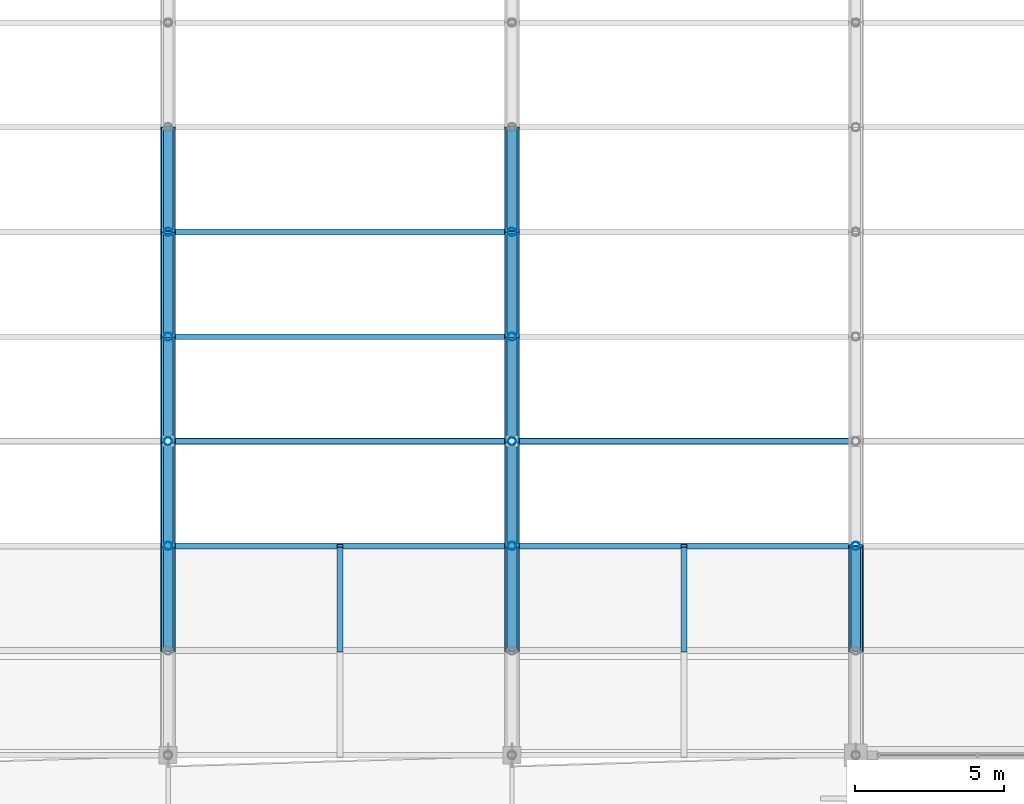
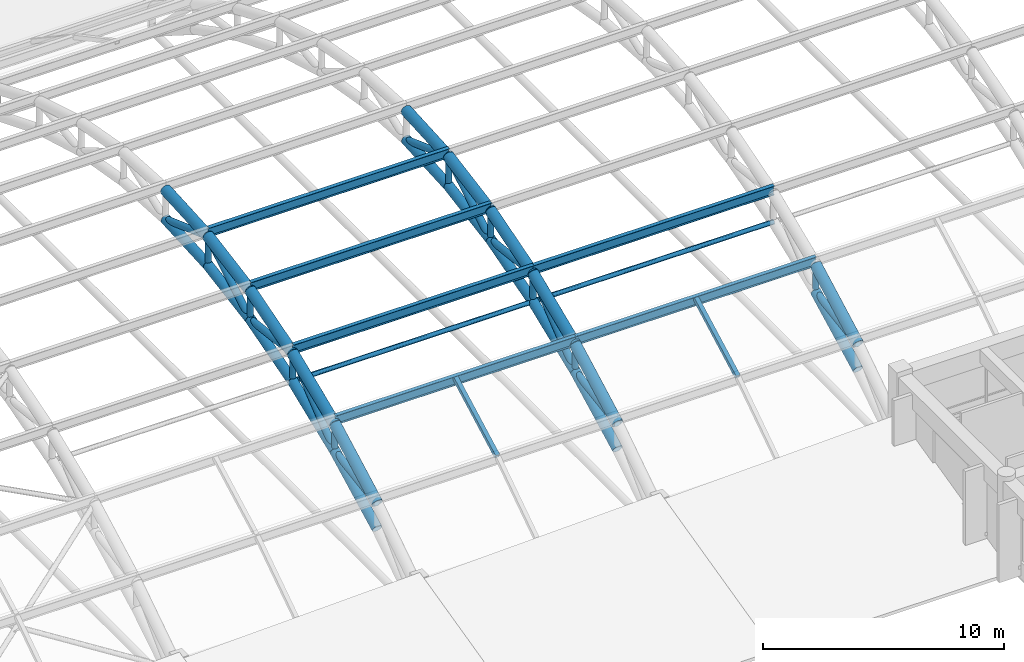
# One storey, part 19 of 154: 52 members.
"""IFC4 building model written with IfcOpenShell, lengths in metres."""

from ifc_helpers import new_model, si_unit, direction, frame, origin, origin_2d, place, context, subcontext, project, spatial, hollow_rectangle, hollow_circle, i_section, extrude, material, material_profile, profile_set, type_object, element, save


model = new_model("IFC4")

# Units and contexts
model_context = context("Model", 3, precision=1e-05, world=origin(), true_north=direction((0.0, 1.0)))
body_context = subcontext(model_context, "Body", "Model", "MODEL_VIEW")
ifc_project = project(units=[si_unit("LENGTHUNIT", "METRE"), si_unit("AREAUNIT", "SQUARE_METRE"), si_unit("VOLUMEUNIT", "CUBIC_METRE"), si_unit("PLANEANGLEUNIT", "RADIAN"), si_unit("MASSUNIT", "GRAM", prefix="KILO")], contexts=[model_context])

# Site, building, storey
site_placement = place(None, origin())
site = spatial("IfcSite", under=ifc_project, at=site_placement, CompositionType="ELEMENT")
building_placement = place(site_placement, origin())
building = spatial("IfcBuilding", under=site, at=building_placement, Name="Ologun Quay Terminus", CompositionType="ELEMENT")
storey_placement = place(building_placement, frame((0.0, 0.0, 13.800048828125)))
storey = spatial("IfcBuildingStorey", under=building, at=storey_placement, Name="L03", CompositionType="ELEMENT", Elevation=13.800048828125)

# Members
ifc_material_1 = material(Name="Steel S355", Category="steel")
ifc_material_profile_1 = material_profile(ifc_material_1, hollow_circle(Radius=0.136474609375, WallThickness=0.010009765625, at=origin_2d()), Name="CHS 273x10")
ifc_profile_set_1 = profile_set([ifc_material_profile_1], Name="Steel S355")
member_type_1 = type_object("IfcMemberType", Name="Arch Truss Vertical Post CHS273", PredefinedType="STRUT", material=ifc_profile_set_1)
member_1_placement = place(storey_placement, frame((34.5, 43.0, 4.022216796875), z_axis=(0.0, 0.0, 1.0), x_axis=(1.0, 0.0, 0.0)))
element("IfcMember", 1, at=member_1_placement, inside=storey, type_object=member_type_1, Name="AW2 Arch Web Post 4-N2", PredefinedType="STRUT", context=body_context, shape_type="SweptSolid", body=[
    extrude(hollow_circle(Radius=0.136474609375, WallThickness=0.010009765625, at=origin_2d()), origin(), (0.0, 0.0, 1.0), 1.35546875),
])
member_2_placement = place(storey_placement, frame((34.5, 46.5, 5.429931640625), z_axis=(0.0, 0.0, 1.0), x_axis=(1.0, 0.0, 0.0)))
element("IfcMember", 2, at=member_2_placement, inside=storey, type_object=member_type_1, Name="AW2 Arch Web Post 4-N3", PredefinedType="STRUT", context=body_context, shape_type="SweptSolid", body=[
    extrude(hollow_circle(Radius=0.136474609375, WallThickness=0.010009765625, at=origin_2d()), origin(), (0.0, 0.0, 1.0), 1.409912109375),
])
member_3_placement = place(storey_placement, frame((34.5, 50.0, 6.435546875), z_axis=(0.0, 0.0, 1.0), x_axis=(1.0, 0.0, 0.0)))
element("IfcMember", 3, at=member_3_placement, inside=storey, type_object=member_type_1, Name="AW2 Arch Web Post 4-N4", PredefinedType="STRUT", context=body_context, shape_type="SweptSolid", body=[
    extrude(hollow_circle(Radius=0.136474609375, WallThickness=0.010009765625, at=origin_2d()), origin(), (0.0, 0.0, 1.0), 1.44873046875),
])
member_4_placement = place(storey_placement, frame((34.5, 53.5, 7.038818359375), z_axis=(0.0, 0.0, 1.0), x_axis=(1.0, 0.0, 0.0)))
element("IfcMember", 4, at=member_4_placement, inside=storey, type_object=member_type_1, Name="AW2 Arch Web Post 4-N5", PredefinedType="STRUT", context=body_context, shape_type="SweptSolid", body=[
    extrude(hollow_circle(Radius=0.136474609375, WallThickness=0.010009765625, at=origin_2d()), origin(), (0.0, 0.0, 1.0), 1.47216796875),
])
member_5_placement = place(storey_placement, frame((46.0, 43.0, 4.022216796875), z_axis=(0.0, 0.0, 1.0), x_axis=(1.0, 0.0, 0.0)))
element("IfcMember", 5, at=member_5_placement, inside=storey, type_object=member_type_1, Name="AW2 Arch Web Post 5-N2", PredefinedType="STRUT", context=body_context, shape_type="SweptSolid", body=[
    extrude(hollow_circle(Radius=0.136474609375, WallThickness=0.010009765625, at=origin_2d()), origin(), (0.0, 0.0, 1.0), 1.35546875),
])
member_6_placement = place(storey_placement, frame((46.0, 46.5, 5.429931640625), z_axis=(0.0, 0.0, 1.0), x_axis=(1.0, 0.0, 0.0)))
element("IfcMember", 6, at=member_6_placement, inside=storey, type_object=member_type_1, Name="AW2 Arch Web Post 5-N3", PredefinedType="STRUT", context=body_context, shape_type="SweptSolid", body=[
    extrude(hollow_circle(Radius=0.136474609375, WallThickness=0.010009765625, at=origin_2d()), origin(), (0.0, 0.0, 1.0), 1.409912109375),
])
member_7_placement = place(storey_placement, frame((46.0, 50.0, 6.435546875), z_axis=(0.0, 0.0, 1.0), x_axis=(1.0, 0.0, 0.0)))
element("IfcMember", 7, at=member_7_placement, inside=storey, type_object=member_type_1, Name="AW2 Arch Web Post 5-N4", PredefinedType="STRUT", context=body_context, shape_type="SweptSolid", body=[
    extrude(hollow_circle(Radius=0.136474609375, WallThickness=0.010009765625, at=origin_2d()), origin(), (0.0, 0.0, 1.0), 1.44873046875),
])
member_8_placement = place(storey_placement, frame((46.0, 53.5, 7.038818359375), z_axis=(0.0, 0.0, 1.0), x_axis=(1.0, 0.0, 0.0)))
element("IfcMember", 8, at=member_8_placement, inside=storey, type_object=member_type_1, Name="AW2 Arch Web Post 5-N5", PredefinedType="STRUT", context=body_context, shape_type="SweptSolid", body=[
    extrude(hollow_circle(Radius=0.136474609375, WallThickness=0.010009765625, at=origin_2d()), origin(), (0.0, 0.0, 1.0), 1.47216796875),
])
member_9_placement = place(storey_placement, frame((57.5, 43.0, 4.022216796875), z_axis=(0.0, 0.0, 1.0), x_axis=(1.0, 0.0, 0.0)))
element("IfcMember", 9, at=member_9_placement, inside=storey, type_object=member_type_1, Name="AW2 Arch Web Post 6-N2", PredefinedType="STRUT", context=body_context, shape_type="SweptSolid", body=[
    extrude(hollow_circle(Radius=0.136474609375, WallThickness=0.010009765625, at=origin_2d()), origin(), (0.0, 0.0, 1.0), 1.35546875),
])
ifc_material_2 = material(Name="Steel S355", Category="steel")
ifc_material_profile_2 = material_profile(ifc_material_2, hollow_circle(Radius=0.161865234375, WallThickness=0.010009765625, at=origin_2d()), Name="CHS 323.9x10")
ifc_profile_set_2 = profile_set([ifc_material_profile_2], Name="Steel S355")
member_type_2 = type_object("IfcMemberType", Name="Arch Truss Web Diagonal CHS323", PredefinedType="BRACE", material=ifc_profile_set_2)
member_10_placement = place(storey_placement, frame((34.5, 39.5, 3.497802734375), z_axis=(0.0, 0.988960627525, 0.148178531524), x_axis=(-1.0, 0.0, 0.0)))
element("IfcMember", 10, at=member_10_placement, inside=storey, type_object=member_type_2, Name="AW1 Arch Web Diagonal 4-P2", PredefinedType="BRACE", context=body_context, shape_type="SweptSolid", body=[
    extrude(hollow_circle(Radius=0.161865234375, WallThickness=0.010009765625, at=origin_2d()), origin(), (0.0, 0.0, 1.0), 3.5390625),
])
member_11_placement = place(storey_placement, frame((34.5, 43.0, 4.022216796875), z_axis=(0.0, 0.77895148125, 0.627084196785), x_axis=(-1.0, 0.0, 0.0)))
element("IfcMember", 11, at=member_11_placement, inside=storey, type_object=member_type_2, Name="AW1 Arch Web Diagonal 4-P3", PredefinedType="BRACE", context=body_context, shape_type="SweptSolid", body=[
    extrude(hollow_circle(Radius=0.161865234375, WallThickness=0.010009765625, at=origin_2d()), origin(), (0.0, 0.0, 1.0), 4.4931640625),
])
member_12_placement = place(storey_placement, frame((34.5, 46.5, 6.83984375), z_axis=(0.0, 0.993394361, -0.114750353084), x_axis=(-1.0, 0.0, 0.0)))
element("IfcMember", 12, at=member_12_placement, inside=storey, type_object=member_type_2, Name="AW1 Arch Web Diagonal 4-P4", PredefinedType="BRACE", context=body_context, shape_type="SweptSolid", body=[
    extrude(hollow_circle(Radius=0.161865234375, WallThickness=0.010009765625, at=origin_2d()), origin(), (0.0, 0.0, 1.0), 3.523193359375),
])
member_13_placement = place(storey_placement, frame((34.5, 50.0, 6.435546875), z_axis=(0.0, 0.860144332958, 0.510050709715), x_axis=(-1.0, 0.0, 0.0)))
element("IfcMember", 13, at=member_13_placement, inside=storey, type_object=member_type_2, Name="AW1 Arch Web Diagonal 4-P5", PredefinedType="BRACE", context=body_context, shape_type="SweptSolid", body=[
    extrude(hollow_circle(Radius=0.161865234375, WallThickness=0.010009765625, at=origin_2d()), origin(), (0.0, 0.0, 1.0), 4.069091796875),
])
member_14_placement = place(storey_placement, frame((34.5, 53.5, 8.510986328125), z_axis=(0.0, 0.939942650142, -0.34133241048), x_axis=(-1.0, 0.0, 0.0)))
element("IfcMember", 14, at=member_14_placement, inside=storey, type_object=member_type_2, Name="AW1 Arch Web Diagonal 4-P6", PredefinedType="BRACE", context=body_context, shape_type="SweptSolid", body=[
    extrude(hollow_circle(Radius=0.161865234375, WallThickness=0.010009765625, at=origin_2d()), origin(), (0.0, 0.0, 1.0), 3.7236328125),
])
member_15_placement = place(storey_placement, frame((46.0, 39.5, 3.497802734375), z_axis=(0.0, 0.988960627525, 0.148178531524), x_axis=(-1.0, 0.0, 0.0)))
element("IfcMember", 15, at=member_15_placement, inside=storey, type_object=member_type_2, Name="AW1 Arch Web Diagonal 5-P2", PredefinedType="BRACE", context=body_context, shape_type="SweptSolid", body=[
    extrude(hollow_circle(Radius=0.161865234375, WallThickness=0.010009765625, at=origin_2d()), origin(), (0.0, 0.0, 1.0), 3.5390625),
])
member_16_placement = place(storey_placement, frame((46.0, 43.0, 4.022216796875), z_axis=(0.0, 0.77895148125, 0.627084196785), x_axis=(-1.0, 0.0, 0.0)))
element("IfcMember", 16, at=member_16_placement, inside=storey, type_object=member_type_2, Name="AW1 Arch Web Diagonal 5-P3", PredefinedType="BRACE", context=body_context, shape_type="SweptSolid", body=[
    extrude(hollow_circle(Radius=0.161865234375, WallThickness=0.010009765625, at=origin_2d()), origin(), (0.0, 0.0, 1.0), 4.4931640625),
])
member_17_placement = place(storey_placement, frame((46.0, 46.5, 6.83984375), z_axis=(0.0, 0.993394361, -0.114750353084), x_axis=(-1.0, 0.0, 0.0)))
element("IfcMember", 17, at=member_17_placement, inside=storey, type_object=member_type_2, Name="AW1 Arch Web Diagonal 5-P4", PredefinedType="BRACE", context=body_context, shape_type="SweptSolid", body=[
    extrude(hollow_circle(Radius=0.161865234375, WallThickness=0.010009765625, at=origin_2d()), origin(), (0.0, 0.0, 1.0), 3.523193359375),
])
member_18_placement = place(storey_placement, frame((46.0, 50.0, 6.435546875), z_axis=(0.0, 0.860144332958, 0.510050709715), x_axis=(-1.0, 0.0, 0.0)))
element("IfcMember", 18, at=member_18_placement, inside=storey, type_object=member_type_2, Name="AW1 Arch Web Diagonal 5-P5", PredefinedType="BRACE", context=body_context, shape_type="SweptSolid", body=[
    extrude(hollow_circle(Radius=0.161865234375, WallThickness=0.010009765625, at=origin_2d()), origin(), (0.0, 0.0, 1.0), 4.069091796875),
])
member_19_placement = place(storey_placement, frame((46.0, 53.5, 8.510986328125), z_axis=(0.0, 0.939942650142, -0.34133241048), x_axis=(-1.0, 0.0, 0.0)))
element("IfcMember", 19, at=member_19_placement, inside=storey, type_object=member_type_2, Name="AW1 Arch Web Diagonal 5-P6", PredefinedType="BRACE", context=body_context, shape_type="SweptSolid", body=[
    extrude(hollow_circle(Radius=0.161865234375, WallThickness=0.010009765625, at=origin_2d()), origin(), (0.0, 0.0, 1.0), 3.7236328125),
])
member_20_placement = place(storey_placement, frame((57.5, 39.5, 3.497802734375), z_axis=(0.0, 0.988960627525, 0.148178531524), x_axis=(-1.0, 0.0, 0.0)))
element("IfcMember", 20, at=member_20_placement, inside=storey, type_object=member_type_2, Name="AW1 Arch Web Diagonal 6-P2", PredefinedType="BRACE", context=body_context, shape_type="SweptSolid", body=[
    extrude(hollow_circle(Radius=0.161865234375, WallThickness=0.010009765625, at=origin_2d()), origin(), (0.0, 0.0, 1.0), 3.5390625),
])
ifc_material_3 = material(Name="Steel S355", Category="steel")
ifc_material_profile_3 = material_profile(ifc_material_3, hollow_circle(Radius=0.228515625, WallThickness=0.01611328125, at=origin_2d()), Name="CHS 457x16")
ifc_profile_set_3 = profile_set([ifc_material_profile_3], Name="Steel S355")
member_type_3 = type_object("IfcMemberType", Name="Parabolic Arch Bottom Chord CHS457", PredefinedType="CHORD", material=ifc_profile_set_3)
member_21_placement = place(storey_placement, frame((34.5, 39.5, 2.212158203125), z_axis=(0.0, 0.888247284083, 0.459365608551), x_axis=(-1.0, 0.0, 0.0)))
element("IfcMember", 21, at=member_21_placement, inside=storey, type_object=member_type_3, Name="AC2 Arch Bottom Chord 4-P2", PredefinedType="CHORD", context=body_context, shape_type="SweptSolid", body=[
    extrude(hollow_circle(Radius=0.228515625, WallThickness=0.01611328125, at=origin_2d()), origin(), (0.0, 0.0, 1.0), 3.9404296875),
])
member_22_placement = place(storey_placement, frame((34.5, 43.0, 4.022216796875), z_axis=(0.0, 0.92776983497, 0.373152962363), x_axis=(-1.0, 0.0, 0.0)))
element("IfcMember", 22, at=member_22_placement, inside=storey, type_object=member_type_3, Name="AC2 Arch Bottom Chord 4-P3", PredefinedType="CHORD", context=body_context, shape_type="SweptSolid", body=[
    extrude(hollow_circle(Radius=0.228515625, WallThickness=0.01611328125, at=origin_2d()), origin(), (0.0, 0.0, 1.0), 3.7724609375),
])
member_23_placement = place(storey_placement, frame((34.5, 46.5, 5.429931640625), z_axis=(0.0, 0.961115578425, 0.276146419331), x_axis=(-1.0, 0.0, 0.0)))
element("IfcMember", 23, at=member_23_placement, inside=storey, type_object=member_type_3, Name="AC2 Arch Bottom Chord 4-P4", PredefinedType="CHORD", context=body_context, shape_type="SweptSolid", body=[
    extrude(hollow_circle(Radius=0.228515625, WallThickness=0.01611328125, at=origin_2d()), origin(), (0.0, 0.0, 1.0), 3.6416015625),
])
member_24_placement = place(storey_placement, frame((34.5, 50.0, 6.435546875), z_axis=(0.0, 0.985468449185, 0.16985857547), x_axis=(-1.0, 0.0, 0.0)))
element("IfcMember", 24, at=member_24_placement, inside=storey, type_object=member_type_3, Name="AC2 Arch Bottom Chord 4-P5", PredefinedType="CHORD", context=body_context, shape_type="SweptSolid", body=[
    extrude(hollow_circle(Radius=0.228515625, WallThickness=0.01611328125, at=origin_2d()), origin(), (0.0, 0.0, 1.0), 3.551513671875),
])
member_25_placement = place(storey_placement, frame((34.5, 53.5, 7.038818359375), z_axis=(0.0, 0.998352239869, 0.057382969144), x_axis=(-1.0, 0.0, 0.0)))
element("IfcMember", 25, at=member_25_placement, inside=storey, type_object=member_type_3, Name="AC2 Arch Bottom Chord 4-P6", PredefinedType="CHORD", context=body_context, shape_type="SweptSolid", body=[
    extrude(hollow_circle(Radius=0.228515625, WallThickness=0.01611328125, at=origin_2d()), origin(), (0.0, 0.0, 1.0), 3.505859375),
])
member_26_placement = place(storey_placement, frame((46.0, 39.5, 2.212158203125), z_axis=(0.0, 0.888247284083, 0.459365608551), x_axis=(-1.0, 0.0, 0.0)))
element("IfcMember", 26, at=member_26_placement, inside=storey, type_object=member_type_3, Name="AC2 Arch Bottom Chord 5-P2", PredefinedType="CHORD", context=body_context, shape_type="SweptSolid", body=[
    extrude(hollow_circle(Radius=0.228515625, WallThickness=0.01611328125, at=origin_2d()), origin(), (0.0, 0.0, 1.0), 3.9404296875),
])
member_27_placement = place(storey_placement, frame((46.0, 43.0, 4.022216796875), z_axis=(0.0, 0.92776983497, 0.373152962363), x_axis=(-1.0, 0.0, 0.0)))
element("IfcMember", 27, at=member_27_placement, inside=storey, type_object=member_type_3, Name="AC2 Arch Bottom Chord 5-P3", PredefinedType="CHORD", context=body_context, shape_type="SweptSolid", body=[
    extrude(hollow_circle(Radius=0.228515625, WallThickness=0.01611328125, at=origin_2d()), origin(), (0.0, 0.0, 1.0), 3.7724609375),
])
member_28_placement = place(storey_placement, frame((46.0, 46.5, 5.429931640625), z_axis=(0.0, 0.961115578425, 0.276146419331), x_axis=(-1.0, 0.0, 0.0)))
element("IfcMember", 28, at=member_28_placement, inside=storey, type_object=member_type_3, Name="AC2 Arch Bottom Chord 5-P4", PredefinedType="CHORD", context=body_context, shape_type="SweptSolid", body=[
    extrude(hollow_circle(Radius=0.228515625, WallThickness=0.01611328125, at=origin_2d()), origin(), (0.0, 0.0, 1.0), 3.6416015625),
])
member_29_placement = place(storey_placement, frame((46.0, 50.0, 6.435546875), z_axis=(0.0, 0.985468449185, 0.16985857547), x_axis=(-1.0, 0.0, 0.0)))
element("IfcMember", 29, at=member_29_placement, inside=storey, type_object=member_type_3, Name="AC2 Arch Bottom Chord 5-P5", PredefinedType="CHORD", context=body_context, shape_type="SweptSolid", body=[
    extrude(hollow_circle(Radius=0.228515625, WallThickness=0.01611328125, at=origin_2d()), origin(), (0.0, 0.0, 1.0), 3.551513671875),
])
member_30_placement = place(storey_placement, frame((46.0, 53.5, 7.038818359375), z_axis=(0.0, 0.998352239869, 0.057382969144), x_axis=(-1.0, 0.0, 0.0)))
element("IfcMember", 30, at=member_30_placement, inside=storey, type_object=member_type_3, Name="AC2 Arch Bottom Chord 5-P6", PredefinedType="CHORD", context=body_context, shape_type="SweptSolid", body=[
    extrude(hollow_circle(Radius=0.228515625, WallThickness=0.01611328125, at=origin_2d()), origin(), (0.0, 0.0, 1.0), 3.505859375),
])
member_31_placement = place(storey_placement, frame((57.5, 39.5, 2.212158203125), z_axis=(0.0, 0.888247284083, 0.459365608551), x_axis=(-1.0, 0.0, 0.0)))
element("IfcMember", 31, at=member_31_placement, inside=storey, type_object=member_type_3, Name="AC2 Arch Bottom Chord 6-P2", PredefinedType="CHORD", context=body_context, shape_type="SweptSolid", body=[
    extrude(hollow_circle(Radius=0.228515625, WallThickness=0.01611328125, at=origin_2d()), origin(), (0.0, 0.0, 1.0), 3.9404296875),
])
ifc_material_4 = material(Name="Steel S355", Category="steel")
ifc_material_profile_4 = material_profile(ifc_material_4, hollow_circle(Radius=0.25390625, WallThickness=0.01611328125, at=origin_2d()), Name="CHS 508x16")
ifc_profile_set_4 = profile_set([ifc_material_profile_4], Name="Steel S355")
member_type_4 = type_object("IfcMemberType", Name="Parabolic Arch Top Chord CHS508", PredefinedType="CHORD", material=ifc_profile_set_4)
member_32_placement = place(storey_placement, frame((34.5, 39.5, 3.497802734375), z_axis=(0.0, 0.880967864924, 0.473176099324), x_axis=(-1.0, 0.0, 0.0)))
element("IfcMember", 32, at=member_32_placement, inside=storey, type_object=member_type_4, Name="Arch Top Chord 4-P2", PredefinedType="CHORD", context=body_context, shape_type="SweptSolid", body=[
    extrude(hollow_circle(Radius=0.25390625, WallThickness=0.01611328125, at=origin_2d()), origin(), (0.0, 0.0, 1.0), 3.972900390625),
])
member_33_placement = place(storey_placement, frame((34.5, 43.0, 5.377685546875), z_axis=(0.0, 0.922718523726, 0.385474416755), x_axis=(-1.0, 0.0, 0.0)))
element("IfcMember", 33, at=member_33_placement, inside=storey, type_object=member_type_4, Name="Arch Top Chord 4-P3", PredefinedType="CHORD", context=body_context, shape_type="SweptSolid", body=[
    extrude(hollow_circle(Radius=0.25390625, WallThickness=0.01611328125, at=origin_2d()), origin(), (0.0, 0.0, 1.0), 3.793212890625),
])
member_34_placement = place(storey_placement, frame((34.5, 46.5, 6.83984375), z_axis=(0.0, 0.958244712677, 0.285949419701), x_axis=(-1.0, 0.0, 0.0)))
element("IfcMember", 34, at=member_34_placement, inside=storey, type_object=member_type_4, Name="Arch Top Chord 4-P4", PredefinedType="CHORD", context=body_context, shape_type="SweptSolid", body=[
    extrude(hollow_circle(Radius=0.25390625, WallThickness=0.01611328125, at=origin_2d()), origin(), (0.0, 0.0, 1.0), 3.652587890625),
])
member_35_placement = place(storey_placement, frame((34.5, 50.0, 7.88427734375), z_axis=(0.0, 0.984344289591, 0.176256402859), x_axis=(-1.0, 0.0, 0.0)))
element("IfcMember", 35, at=member_35_placement, inside=storey, type_object=member_type_4, Name="Arch Top Chord 4-P5", PredefinedType="CHORD", context=body_context, shape_type="SweptSolid", body=[
    extrude(hollow_circle(Radius=0.25390625, WallThickness=0.01611328125, at=origin_2d()), origin(), (0.0, 0.0, 1.0), 3.5556640625),
])
member_36_placement = place(storey_placement, frame((34.5, 53.5, 8.510986328125), z_axis=(0.0, 0.998222121157, 0.0596036646), x_axis=(-1.0, 0.0, 0.0)))
element("IfcMember", 36, at=member_36_placement, inside=storey, type_object=member_type_4, Name="Arch Top Chord 4-P6", PredefinedType="CHORD", context=body_context, shape_type="SweptSolid", body=[
    extrude(hollow_circle(Radius=0.25390625, WallThickness=0.01611328125, at=origin_2d()), origin(), (0.0, 0.0, 1.0), 3.50634765625),
])
member_37_placement = place(storey_placement, frame((46.0, 39.5, 3.497802734375), z_axis=(0.0, 0.880967864924, 0.473176099324), x_axis=(-1.0, 0.0, 0.0)))
element("IfcMember", 37, at=member_37_placement, inside=storey, type_object=member_type_4, Name="Arch Top Chord 5-P2", PredefinedType="CHORD", context=body_context, shape_type="SweptSolid", body=[
    extrude(hollow_circle(Radius=0.25390625, WallThickness=0.01611328125, at=origin_2d()), origin(), (0.0, 0.0, 1.0), 3.972900390625),
])
member_38_placement = place(storey_placement, frame((46.0, 43.0, 5.377685546875), z_axis=(0.0, 0.922718523726, 0.385474416755), x_axis=(-1.0, 0.0, 0.0)))
element("IfcMember", 38, at=member_38_placement, inside=storey, type_object=member_type_4, Name="Arch Top Chord 5-P3", PredefinedType="CHORD", context=body_context, shape_type="SweptSolid", body=[
    extrude(hollow_circle(Radius=0.25390625, WallThickness=0.01611328125, at=origin_2d()), origin(), (0.0, 0.0, 1.0), 3.793212890625),
])
member_39_placement = place(storey_placement, frame((46.0, 46.5, 6.83984375), z_axis=(0.0, 0.958244712677, 0.285949419701), x_axis=(-1.0, 0.0, 0.0)))
element("IfcMember", 39, at=member_39_placement, inside=storey, type_object=member_type_4, Name="Arch Top Chord 5-P4", PredefinedType="CHORD", context=body_context, shape_type="SweptSolid", body=[
    extrude(hollow_circle(Radius=0.25390625, WallThickness=0.01611328125, at=origin_2d()), origin(), (0.0, 0.0, 1.0), 3.652587890625),
])
member_40_placement = place(storey_placement, frame((46.0, 50.0, 7.88427734375), z_axis=(0.0, 0.984344289591, 0.176256402859), x_axis=(-1.0, 0.0, 0.0)))
element("IfcMember", 40, at=member_40_placement, inside=storey, type_object=member_type_4, Name="Arch Top Chord 5-P5", PredefinedType="CHORD", context=body_context, shape_type="SweptSolid", body=[
    extrude(hollow_circle(Radius=0.25390625, WallThickness=0.01611328125, at=origin_2d()), origin(), (0.0, 0.0, 1.0), 3.5556640625),
])
member_41_placement = place(storey_placement, frame((46.0, 53.5, 8.510986328125), z_axis=(0.0, 0.998222121157, 0.0596036646), x_axis=(-1.0, 0.0, 0.0)))
element("IfcMember", 41, at=member_41_placement, inside=storey, type_object=member_type_4, Name="Arch Top Chord 5-P6", PredefinedType="CHORD", context=body_context, shape_type="SweptSolid", body=[
    extrude(hollow_circle(Radius=0.25390625, WallThickness=0.01611328125, at=origin_2d()), origin(), (0.0, 0.0, 1.0), 3.50634765625),
])
member_42_placement = place(storey_placement, frame((57.5, 39.5, 3.497802734375), z_axis=(0.0, 0.880967864924, 0.473176099324), x_axis=(-1.0, 0.0, 0.0)))
element("IfcMember", 42, at=member_42_placement, inside=storey, type_object=member_type_4, Name="Arch Top Chord 6-P2", PredefinedType="CHORD", context=body_context, shape_type="SweptSolid", body=[
    extrude(hollow_circle(Radius=0.25390625, WallThickness=0.01611328125, at=origin_2d()), origin(), (0.0, 0.0, 1.0), 3.972900390625),
])
ifc_material_5 = material(Name="Steel S355", Category="steel")
ifc_material_profile_5 = material_profile(ifc_material_5, hollow_circle(Radius=0.109619140625, WallThickness=0.008056640625, at=origin_2d()), Name="CHS 219.1x8")
ifc_profile_set_5 = profile_set([ifc_material_profile_5], Name="Steel S355")
member_type_5 = type_object("IfcMemberType", Name="Roof Plan Wind Brace Collector CHS219", PredefinedType="STRUT", material=ifc_profile_set_5)
for number, where, z_axis, x_axis, name in (
    (43, (34.5, 46.5, 5.429931640625), (1.0, 0.0, 0.0), (0.0, 1.0, 0.0), "WB2 Collector Strut B4-K3"),
    (44, (46.0, 46.5, 5.429931640625), (1.0, 0.0, 0.0), (0.0, 1.0, 0.0), "WB2 Collector Strut B5-K3"),
):
    element("IfcMember", number, at=place(storey_placement, frame(where, z_axis=z_axis, x_axis=x_axis)), inside=storey, type_object=member_type_5, Name=name, PredefinedType="STRUT", context=body_context, shape_type="SweptSolid", body=[
        extrude(hollow_circle(Radius=0.109619140625, WallThickness=0.008056640625, at=origin_2d()), origin(), (0.0, 0.0, 1.0), 11.5),
    ])
ifc_material_6 = material(Name="Steel S355", Category="steel")
ifc_material_profile_6 = material_profile(ifc_material_6, hollow_rectangle(XDim=0.199951171875, YDim=0.199951171875, WallThickness=0.008056640625, at=origin_2d()), Name="SHS 200x200x8")
ifc_profile_set_6 = profile_set([ifc_material_profile_6], Name="Steel S355")
member_type_6 = type_object("IfcMemberType", Name="Skylight Cross Transom Bar RHS150", PredefinedType="STRUT", material=ifc_profile_set_6)
for number, where, z_axis, x_axis, name in (
    (45, (40.25, 39.5, 3.851806640625), (0.0, 0.880967864924, 0.473176099324), (-1.0, 0.0, 0.0), "SK2 Eave Secondary Rafter B4-P2"),
    (46, (51.75, 39.5, 3.851806640625), (0.0, 0.880967864924, 0.473176099324), (-1.0, 0.0, 0.0), "SK2 Eave Secondary Rafter B5-P2"),
):
    element("IfcMember", number, at=place(storey_placement, frame(where, z_axis=z_axis, x_axis=x_axis)), inside=storey, type_object=member_type_6, Name=name, PredefinedType="STRUT", context=body_context, shape_type="SweptSolid", body=[
        extrude(hollow_rectangle(XDim=0.199951171875, YDim=0.199951171875, WallThickness=0.008056640625, at=origin_2d()), origin(), (0.0, 0.0, 1.0), 3.972900390625),
    ])
ifc_material_7 = material(Name="Steel S355", Category="steel")
ifc_material_profile_7 = material_profile(ifc_material_7, i_section(OverallWidth=0.1904296875, OverallDepth=0.45703125, WebThickness=0.009033203125, FlangeThickness=0.014404296875, at=origin_2d()), Name="UKB 457x191x74")
ifc_profile_set_7 = profile_set([ifc_material_profile_7], Name="Steel S355")
member_type_7 = type_object("IfcMemberType", Name="Train Shed Primary Roof Purlin UKB457", PredefinedType="PURLIN", material=ifc_profile_set_7)
for number, where, z_axis, x_axis, name in (
    (47, (34.5, 43.0, 5.606201171875), (1.0, 0.0, 0.0), (0.0, 1.0, 0.0), "PR1 Roof Purlin B4-N2"),
    (48, (34.5, 46.5, 7.068359375), (1.0, 0.0, 0.0), (0.0, 1.0, 0.0), "PR1 Roof Purlin B4-N3"),
    (49, (34.5, 50.0, 8.11279296875), (1.0, 0.0, 0.0), (0.0, 1.0, 0.0), "PR1 Roof Purlin B4-N4"),
    (50, (34.5, 53.5, 8.739501953125), (1.0, 0.0, 0.0), (0.0, 1.0, 0.0), "PR1 Roof Purlin B4-N5"),
    (51, (46.0, 43.0, 5.606201171875), (1.0, 0.0, 0.0), (0.0, 1.0, 0.0), "PR1 Roof Purlin B5-N2"),
    (52, (46.0, 46.5, 7.068359375), (1.0, 0.0, 0.0), (0.0, 1.0, 0.0), "PR1 Roof Purlin B5-N3"),
):
    element("IfcMember", number, at=place(storey_placement, frame(where, z_axis=z_axis, x_axis=x_axis)), inside=storey, type_object=member_type_7, Name=name, PredefinedType="PURLIN", context=body_context, shape_type="SweptSolid", body=[
        extrude(i_section(OverallWidth=0.1904296875, OverallDepth=0.45703125, WebThickness=0.009033203125, FlangeThickness=0.014404296875, at=origin_2d()), origin(), (0.0, 0.0, 1.0), 11.5),
    ])

save(model, "model.ifc")
